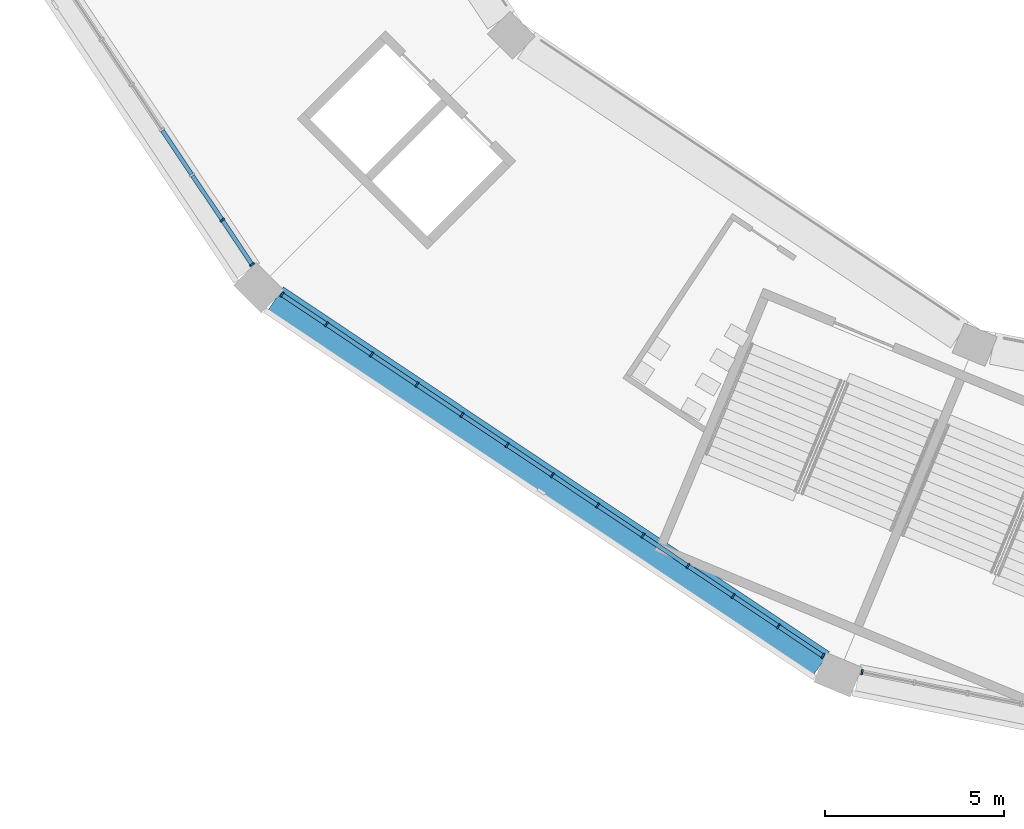
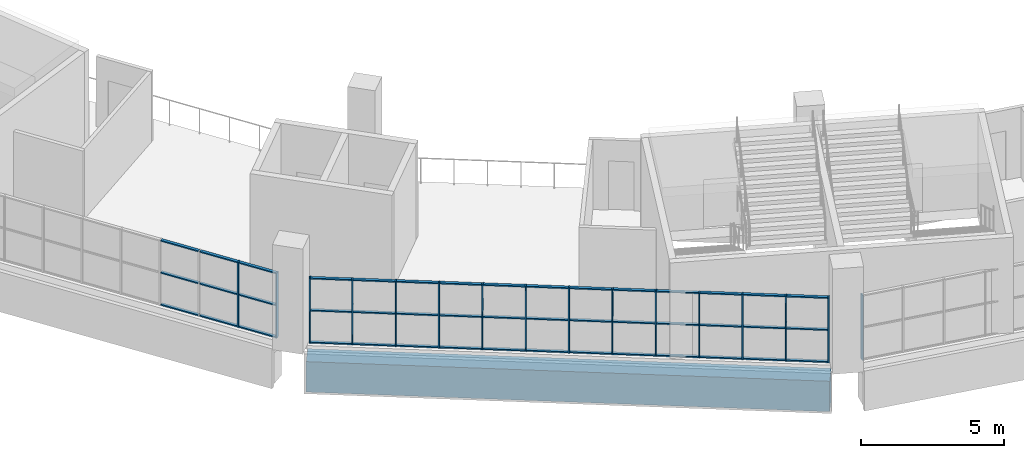
# One storey, part 2 of 177: 61 members, 1 beam, 3 elements without a shape of their own.
"""IFC4 building model written with IfcOpenShell, lengths in metres."""

from ifc_helpers import new_model, si_unit, direction, frame, origin, origin_2d, place, context, subcontext, project, spatial, rectangle, extrude, material, material_profile, profile_set, type_object, element, aggregate, save


model = new_model("IFC4")

# Units and contexts
model_context = context("Model", 3, precision=1e-05, world=origin(), true_north=direction((0.0, 1.0)))
body_context = subcontext(model_context, "Body", "Model", "MODEL_VIEW")
ifc_project = project(units=[si_unit("LENGTHUNIT", "METRE"), si_unit("AREAUNIT", "SQUARE_METRE"), si_unit("VOLUMEUNIT", "CUBIC_METRE"), si_unit("PLANEANGLEUNIT", "RADIAN"), si_unit("MASSUNIT", "GRAM", prefix="KILO")], contexts=[model_context])

# Site, building, storey
site_placement = place(None, origin())
site = spatial("IfcSite", under=ifc_project, at=site_placement, CompositionType="ELEMENT")
building_placement = place(site_placement, origin())
building = spatial("IfcBuilding", under=site, at=building_placement, Name="Ogive Plaza Stadium", CompositionType="ELEMENT")
storey_placement = place(building_placement, frame((0.0, 0.0, 18.0)))
storey = spatial("IfcBuildingStorey", under=building, at=storey_placement, Name="L04", CompositionType="ELEMENT", Elevation=18.0)

# Curtain wall, member
ifc_material_1 = material(Name="Bronze-anodised aluminium with laminated glass", Category="aluminium")
curtain_wall_type = type_object("IfcCurtainWallType", Name="Lancet curtain wall", PredefinedType="NOTDEFINED", material=ifc_material_1)
curtain_wall_1_placement = place(storey_placement, origin())
curtain_wall_1 = element("IfcCurtainWall", 1, at=curtain_wall_1_placement, inside=storey, type_object=curtain_wall_type, Name="CURTAIN WALL B17 L04", PredefinedType="NOTDEFINED")
ifc_material_2 = material(Name="Bronze-anodised aluminium", Category="aluminium")
ifc_material_profile_1 = material_profile(ifc_material_2, rectangle(XDim=0.14990234375, YDim=0.050048828125, at=origin_2d()), Name="AL 150x50")
ifc_profile_set_1 = profile_set([ifc_material_profile_1], Name="Bronze-anodised aluminium")
member_type_1 = type_object("IfcMemberType", Name="Curtain wall mullion 50x150", PredefinedType="MULLION", material=ifc_profile_set_1)
member_1_placement = place(storey_placement, frame((-52.462158203125, -98.623779296875, 0.0), z_axis=(0.0, 0.0, 1.0), x_axis=(-0.195090322033, -0.9807852804, 0.0)))
member_1 = element("IfcMember", 2, at=member_1_placement, type_object=member_type_1, Name="CW-B17-L04 mullion 13", PredefinedType="MULLION", context=body_context, shape_type="SweptSolid", body=[
    extrude(rectangle(XDim=0.14990234375, YDim=0.050048828125, at=origin_2d()), origin(), (0.0, 0.0, 1.0), 2.7900390625),
])
aggregate(curtain_wall_1, [member_1])

# Curtain wall, members
curtain_wall_2_placement = place(storey_placement, origin())
curtain_wall_2 = element("IfcCurtainWall", 3, at=curtain_wall_2_placement, inside=storey, type_object=curtain_wall_type, Name="CURTAIN WALL B18 L04", PredefinedType="NOTDEFINED")
member_2_placement = place(storey_placement, frame((-53.559814453125, -98.169189453125, 0.0), z_axis=(0.0, 0.0, 1.0), x_axis=(-0.55557023302, -0.831469612303, 0.0)))
member_2 = element("IfcMember", 4, at=member_2_placement, type_object=member_type_1, Name="CW-B18-L04 mullion 1", PredefinedType="MULLION", context=body_context, shape_type="SweptSolid", body=[
    extrude(rectangle(XDim=0.14990234375, YDim=0.050048828125, at=origin_2d()), origin(), (0.0, 0.0, 1.0), 2.7900390625),
])
member_3_placement = place(storey_placement, frame((-54.8046875, -97.337158203125, 0.0), z_axis=(0.0, 0.0, 1.0), x_axis=(-0.55557023302, -0.831469612303, 0.0)))
member_3 = element("IfcMember", 5, at=member_3_placement, type_object=member_type_1, Name="CW-B18-L04 mullion 2", PredefinedType="MULLION", context=body_context, shape_type="SweptSolid", body=[
    extrude(rectangle(XDim=0.14990234375, YDim=0.050048828125, at=origin_2d()), origin(), (0.0, 0.0, 1.0), 2.7900390625),
])
member_4_placement = place(storey_placement, frame((-56.070556640625, -96.491455078125, 0.0), z_axis=(0.0, 0.0, 1.0), x_axis=(-0.55557023302, -0.831469612303, 0.0)))
member_4 = element("IfcMember", 6, at=member_4_placement, type_object=member_type_1, Name="CW-B18-L04 mullion 3", PredefinedType="MULLION", context=body_context, shape_type="SweptSolid", body=[
    extrude(rectangle(XDim=0.14990234375, YDim=0.050048828125, at=origin_2d()), origin(), (0.0, 0.0, 1.0), 2.7900390625),
])
member_5_placement = place(storey_placement, frame((-57.336181640625, -95.645751953125, 0.0), z_axis=(0.0, 0.0, 1.0), x_axis=(-0.55557023302, -0.831469612303, 0.0)))
member_5 = element("IfcMember", 7, at=member_5_placement, type_object=member_type_1, Name="CW-B18-L04 mullion 4", PredefinedType="MULLION", context=body_context, shape_type="SweptSolid", body=[
    extrude(rectangle(XDim=0.14990234375, YDim=0.050048828125, at=origin_2d()), origin(), (0.0, 0.0, 1.0), 2.7900390625),
])
member_6_placement = place(storey_placement, frame((-58.60205078125, -94.7998046875, 0.0), z_axis=(0.0, 0.0, 1.0), x_axis=(-0.55557023302, -0.831469612303, 0.0)))
member_6 = element("IfcMember", 8, at=member_6_placement, type_object=member_type_1, Name="CW-B18-L04 mullion 5", PredefinedType="MULLION", context=body_context, shape_type="SweptSolid", body=[
    extrude(rectangle(XDim=0.14990234375, YDim=0.050048828125, at=origin_2d()), origin(), (0.0, 0.0, 1.0), 2.7900390625),
])
member_7_placement = place(storey_placement, frame((-59.867919921875, -93.9541015625, 0.0), z_axis=(0.0, 0.0, 1.0), x_axis=(-0.55557023302, -0.831469612303, 0.0)))
member_7 = element("IfcMember", 9, at=member_7_placement, type_object=member_type_1, Name="CW-B18-L04 mullion 6", PredefinedType="MULLION", context=body_context, shape_type="SweptSolid", body=[
    extrude(rectangle(XDim=0.14990234375, YDim=0.050048828125, at=origin_2d()), origin(), (0.0, 0.0, 1.0), 2.7900390625),
])
member_8_placement = place(storey_placement, frame((-61.133544921875, -93.1083984375, 0.0), z_axis=(0.0, 0.0, 1.0), x_axis=(-0.55557023302, -0.831469612303, 0.0)))
member_8 = element("IfcMember", 10, at=member_8_placement, type_object=member_type_1, Name="CW-B18-L04 mullion 7", PredefinedType="MULLION", context=body_context, shape_type="SweptSolid", body=[
    extrude(rectangle(XDim=0.14990234375, YDim=0.050048828125, at=origin_2d()), origin(), (0.0, 0.0, 1.0), 2.7900390625),
])
member_9_placement = place(storey_placement, frame((-62.3994140625, -92.2626953125, 0.0), z_axis=(0.0, 0.0, 1.0), x_axis=(-0.55557023302, -0.831469612303, 0.0)))
member_9 = element("IfcMember", 11, at=member_9_placement, type_object=member_type_1, Name="CW-B18-L04 mullion 8", PredefinedType="MULLION", context=body_context, shape_type="SweptSolid", body=[
    extrude(rectangle(XDim=0.14990234375, YDim=0.050048828125, at=origin_2d()), origin(), (0.0, 0.0, 1.0), 2.7900390625),
])
member_10_placement = place(storey_placement, frame((-63.665283203125, -91.416748046875, 0.0), z_axis=(0.0, 0.0, 1.0), x_axis=(-0.55557023302, -0.831469612303, 0.0)))
member_10 = element("IfcMember", 12, at=member_10_placement, type_object=member_type_1, Name="CW-B18-L04 mullion 9", PredefinedType="MULLION", context=body_context, shape_type="SweptSolid", body=[
    extrude(rectangle(XDim=0.14990234375, YDim=0.050048828125, at=origin_2d()), origin(), (0.0, 0.0, 1.0), 2.7900390625),
])
member_11_placement = place(storey_placement, frame((-64.930908203125, -90.571044921875, 0.0), z_axis=(0.0, 0.0, 1.0), x_axis=(-0.55557023302, -0.831469612303, 0.0)))
member_11 = element("IfcMember", 13, at=member_11_placement, type_object=member_type_1, Name="CW-B18-L04 mullion 10", PredefinedType="MULLION", context=body_context, shape_type="SweptSolid", body=[
    extrude(rectangle(XDim=0.14990234375, YDim=0.050048828125, at=origin_2d()), origin(), (0.0, 0.0, 1.0), 2.7900390625),
])
member_12_placement = place(storey_placement, frame((-66.19677734375, -89.725341796875, 0.0), z_axis=(0.0, 0.0, 1.0), x_axis=(-0.55557023302, -0.831469612303, 0.0)))
member_12 = element("IfcMember", 14, at=member_12_placement, type_object=member_type_1, Name="CW-B18-L04 mullion 11", PredefinedType="MULLION", context=body_context, shape_type="SweptSolid", body=[
    extrude(rectangle(XDim=0.14990234375, YDim=0.050048828125, at=origin_2d()), origin(), (0.0, 0.0, 1.0), 2.7900390625),
])
member_13_placement = place(storey_placement, frame((-67.462646484375, -88.879638671875, 0.0), z_axis=(0.0, 0.0, 1.0), x_axis=(-0.55557023302, -0.831469612303, 0.0)))
member_13 = element("IfcMember", 15, at=member_13_placement, type_object=member_type_1, Name="CW-B18-L04 mullion 12", PredefinedType="MULLION", context=body_context, shape_type="SweptSolid", body=[
    extrude(rectangle(XDim=0.14990234375, YDim=0.050048828125, at=origin_2d()), origin(), (0.0, 0.0, 1.0), 2.7900390625),
])
member_14_placement = place(storey_placement, frame((-68.70751953125, -88.047607421875, 0.0), z_axis=(0.0, 0.0, 1.0), x_axis=(-0.55557023302, -0.831469612303, 0.0)))
member_14 = element("IfcMember", 16, at=member_14_placement, type_object=member_type_1, Name="CW-B18-L04 mullion 13", PredefinedType="MULLION", context=body_context, shape_type="SweptSolid", body=[
    extrude(rectangle(XDim=0.14990234375, YDim=0.050048828125, at=origin_2d()), origin(), (0.0, 0.0, 1.0), 2.7900390625),
])

curtain_wall_3_placement = place(storey_placement, origin())
curtain_wall_3 = element("IfcCurtainWall", 17, at=curtain_wall_3_placement, inside=storey, type_object=curtain_wall_type, Name="CURTAIN WALL B19 L04", PredefinedType="NOTDEFINED")
member_15_placement = place(storey_placement, frame((-69.547607421875, -87.20751953125, 0.0), z_axis=(0.0, 0.0, 1.0), x_axis=(-0.831469612303, -0.55557023302, 0.0)))
member_15 = element("IfcMember", 18, at=member_15_placement, type_object=member_type_1, Name="CW-B19-L04 mullion 1", PredefinedType="MULLION", context=body_context, shape_type="SweptSolid", body=[
    extrude(rectangle(XDim=0.14990234375, YDim=0.050048828125, at=origin_2d()), origin(), (0.0, 0.0, 1.0), 2.7900390625),
])
member_16_placement = place(storey_placement, frame((-70.379638671875, -85.962646484375, 0.0), z_axis=(0.0, 0.0, 1.0), x_axis=(-0.831469612303, -0.55557023302, 0.0)))
member_16 = element("IfcMember", 19, at=member_16_placement, type_object=member_type_1, Name="CW-B19-L04 mullion 2", PredefinedType="MULLION", context=body_context, shape_type="SweptSolid", body=[
    extrude(rectangle(XDim=0.14990234375, YDim=0.050048828125, at=origin_2d()), origin(), (0.0, 0.0, 1.0), 2.7900390625),
])

# Member
ifc_material_3 = material(Name="Bronze-anodised aluminium", Category="aluminium")
ifc_material_profile_2 = material_profile(ifc_material_3, rectangle(XDim=0.1201171875, YDim=0.050048828125, at=origin_2d()), Name="AL 120x50")
ifc_profile_set_2 = profile_set([ifc_material_profile_2], Name="Bronze-anodised aluminium")
member_type_2 = type_object("IfcMemberType", Name="Curtain wall transom 50x120", PredefinedType="USERDEFINED", material=ifc_profile_set_2)
member_17_placement = place(storey_placement, frame((-53.58056640625, -98.1552734375, 0.02490234375), z_axis=(-0.831426948977, 0.555634077892, 0.0), x_axis=(-0.555634077892, -0.831426948977, 0.0)))
member_17 = element("IfcMember", 20, at=member_17_placement, type_object=member_type_2, Name="CW-B18-L04 transom 1.1", ObjectType="TRANSOM", PredefinedType="USERDEFINED", context=body_context, shape_type="SweptSolid", body=[
    extrude(rectangle(XDim=0.1201171875, YDim=0.050048828125, at=origin_2d()), origin(), (0.0, 0.0, 1.0), 1.447265625),
])

member_18_placement = place(storey_placement, frame((-53.58056640625, -98.1552734375, 1.39501953125), z_axis=(-0.831426948977, 0.555634077892, 0.0), x_axis=(-0.555634077892, -0.831426948977, 0.0)))
member_18 = element("IfcMember", 21, at=member_18_placement, type_object=member_type_2, Name="CW-B18-L04 transom 1.2", ObjectType="TRANSOM", PredefinedType="USERDEFINED", context=body_context, shape_type="SweptSolid", body=[
    extrude(rectangle(XDim=0.1201171875, YDim=0.050048828125, at=origin_2d()), origin(), (0.0, 0.0, 1.0), 1.447265625),
])

member_19_placement = place(storey_placement, frame((-53.58056640625, -98.1552734375, 2.764892578125), z_axis=(-0.831426948977, 0.555634077892, 0.0), x_axis=(-0.555634077892, -0.831426948977, 0.0)))
member_19 = element("IfcMember", 22, at=member_19_placement, type_object=member_type_2, Name="CW-B18-L04 transom 1.3", ObjectType="TRANSOM", PredefinedType="USERDEFINED", context=body_context, shape_type="SweptSolid", body=[
    extrude(rectangle(XDim=0.1201171875, YDim=0.050048828125, at=origin_2d()), origin(), (0.0, 0.0, 1.0), 1.447265625),
])

member_20_placement = place(storey_placement, frame((-54.825439453125, -97.3232421875, 0.02490234375), z_axis=(-0.83153975619, 0.555465240925, 0.0), x_axis=(-0.555465240925, -0.83153975619, 0.0)))
member_20 = element("IfcMember", 23, at=member_20_placement, type_object=member_type_2, Name="CW-B18-L04 transom 2.1", ObjectType="TRANSOM", PredefinedType="USERDEFINED", context=body_context, shape_type="SweptSolid", body=[
    extrude(rectangle(XDim=0.1201171875, YDim=0.050048828125, at=origin_2d()), origin(), (0.0, 0.0, 1.0), 1.472412109375),
])

member_21_placement = place(storey_placement, frame((-54.825439453125, -97.3232421875, 1.39501953125), z_axis=(-0.83153975619, 0.555465240925, 0.0), x_axis=(-0.555465240925, -0.83153975619, 0.0)))
member_21 = element("IfcMember", 24, at=member_21_placement, type_object=member_type_2, Name="CW-B18-L04 transom 2.2", ObjectType="TRANSOM", PredefinedType="USERDEFINED", context=body_context, shape_type="SweptSolid", body=[
    extrude(rectangle(XDim=0.1201171875, YDim=0.050048828125, at=origin_2d()), origin(), (0.0, 0.0, 1.0), 1.472412109375),
])

member_22_placement = place(storey_placement, frame((-54.825439453125, -97.3232421875, 2.764892578125), z_axis=(-0.83153975619, 0.555465240925, 0.0), x_axis=(-0.555465240925, -0.83153975619, 0.0)))
member_22 = element("IfcMember", 25, at=member_22_placement, type_object=member_type_2, Name="CW-B18-L04 transom 2.3", ObjectType="TRANSOM", PredefinedType="USERDEFINED", context=body_context, shape_type="SweptSolid", body=[
    extrude(rectangle(XDim=0.1201171875, YDim=0.050048828125, at=origin_2d()), origin(), (0.0, 0.0, 1.0), 1.472412109375),
])

member_23_placement = place(storey_placement, frame((-56.09130859375, -96.4775390625, 0.02490234375), z_axis=(-0.831488586159, 0.555541835587, 0.0), x_axis=(-0.555541835587, -0.831488586159, 0.0)))
member_23 = element("IfcMember", 26, at=member_23_placement, type_object=member_type_2, Name="CW-B18-L04 transom 3.1", ObjectType="TRANSOM", PredefinedType="USERDEFINED", context=body_context, shape_type="SweptSolid", body=[
    extrude(rectangle(XDim=0.1201171875, YDim=0.050048828125, at=origin_2d()), origin(), (0.0, 0.0, 1.0), 1.47216796875),
])

member_24_placement = place(storey_placement, frame((-56.09130859375, -96.4775390625, 1.39501953125), z_axis=(-0.831488586159, 0.555541835587, 0.0), x_axis=(-0.555541835587, -0.831488586159, 0.0)))
member_24 = element("IfcMember", 27, at=member_24_placement, type_object=member_type_2, Name="CW-B18-L04 transom 3.2", ObjectType="TRANSOM", PredefinedType="USERDEFINED", context=body_context, shape_type="SweptSolid", body=[
    extrude(rectangle(XDim=0.1201171875, YDim=0.050048828125, at=origin_2d()), origin(), (0.0, 0.0, 1.0), 1.47216796875),
])

member_25_placement = place(storey_placement, frame((-56.09130859375, -96.4775390625, 2.764892578125), z_axis=(-0.831488586159, 0.555541835587, 0.0), x_axis=(-0.555541835587, -0.831488586159, 0.0)))
member_25 = element("IfcMember", 28, at=member_25_placement, type_object=member_type_2, Name="CW-B18-L04 transom 3.3", ObjectType="TRANSOM", PredefinedType="USERDEFINED", context=body_context, shape_type="SweptSolid", body=[
    extrude(rectangle(XDim=0.1201171875, YDim=0.050048828125, at=origin_2d()), origin(), (0.0, 0.0, 1.0), 1.47216796875),
])

member_26_placement = place(storey_placement, frame((-57.357177734375, -95.6318359375, 0.02490234375), z_axis=(-0.831411982446, 0.555656472512, 0.0), x_axis=(-0.555656472512, -0.831411982446, 0.0)))
member_26 = element("IfcMember", 29, at=member_26_placement, type_object=member_type_2, Name="CW-B18-L04 transom 4.1", ObjectType="TRANSOM", PredefinedType="USERDEFINED", context=body_context, shape_type="SweptSolid", body=[
    extrude(rectangle(XDim=0.1201171875, YDim=0.050048828125, at=origin_2d()), origin(), (0.0, 0.0, 1.0), 1.472412109375),
])

member_27_placement = place(storey_placement, frame((-57.357177734375, -95.6318359375, 1.39501953125), z_axis=(-0.831411982446, 0.555656472512, 0.0), x_axis=(-0.555656472512, -0.831411982446, 0.0)))
member_27 = element("IfcMember", 30, at=member_27_placement, type_object=member_type_2, Name="CW-B18-L04 transom 4.2", ObjectType="TRANSOM", PredefinedType="USERDEFINED", context=body_context, shape_type="SweptSolid", body=[
    extrude(rectangle(XDim=0.1201171875, YDim=0.050048828125, at=origin_2d()), origin(), (0.0, 0.0, 1.0), 1.472412109375),
])

member_28_placement = place(storey_placement, frame((-57.357177734375, -95.6318359375, 2.764892578125), z_axis=(-0.831411982446, 0.555656472512, 0.0), x_axis=(-0.555656472512, -0.831411982446, 0.0)))
member_28 = element("IfcMember", 31, at=member_28_placement, type_object=member_type_2, Name="CW-B18-L04 transom 4.3", ObjectType="TRANSOM", PredefinedType="USERDEFINED", context=body_context, shape_type="SweptSolid", body=[
    extrude(rectangle(XDim=0.1201171875, YDim=0.050048828125, at=origin_2d()), origin(), (0.0, 0.0, 1.0), 1.472412109375),
])

member_29_placement = place(storey_placement, frame((-58.622802734375, -94.7861328125, 0.02490234375), z_axis=(-0.831463168883, 0.555579876157, 0.0), x_axis=(-0.555579876157, -0.831463168883, 0.0)))
member_29 = element("IfcMember", 32, at=member_29_placement, type_object=member_type_2, Name="CW-B18-L04 transom 5.1", ObjectType="TRANSOM", PredefinedType="USERDEFINED", context=body_context, shape_type="SweptSolid", body=[
    extrude(rectangle(XDim=0.1201171875, YDim=0.050048828125, at=origin_2d()), origin(), (0.0, 0.0, 1.0), 1.47265625),
])

member_30_placement = place(storey_placement, frame((-58.622802734375, -94.7861328125, 1.39501953125), z_axis=(-0.831463168883, 0.555579876157, 0.0), x_axis=(-0.555579876157, -0.831463168883, 0.0)))
member_30 = element("IfcMember", 33, at=member_30_placement, type_object=member_type_2, Name="CW-B18-L04 transom 5.2", ObjectType="TRANSOM", PredefinedType="USERDEFINED", context=body_context, shape_type="SweptSolid", body=[
    extrude(rectangle(XDim=0.1201171875, YDim=0.050048828125, at=origin_2d()), origin(), (0.0, 0.0, 1.0), 1.47265625),
])

member_31_placement = place(storey_placement, frame((-58.622802734375, -94.7861328125, 2.764892578125), z_axis=(-0.831463168883, 0.555579876157, 0.0), x_axis=(-0.555579876157, -0.831463168883, 0.0)))
member_31 = element("IfcMember", 34, at=member_31_placement, type_object=member_type_2, Name="CW-B18-L04 transom 5.3", ObjectType="TRANSOM", PredefinedType="USERDEFINED", context=body_context, shape_type="SweptSolid", body=[
    extrude(rectangle(XDim=0.1201171875, YDim=0.050048828125, at=origin_2d()), origin(), (0.0, 0.0, 1.0), 1.47265625),
])

member_32_placement = place(storey_placement, frame((-59.888671875, -93.940185546875, 0.02490234375), z_axis=(-0.831488586159, 0.555541835587, 0.0), x_axis=(-0.555541835587, -0.831488586159, 0.0)))
member_32 = element("IfcMember", 35, at=member_32_placement, type_object=member_type_2, Name="CW-B18-L04 transom 6.1", ObjectType="TRANSOM", PredefinedType="USERDEFINED", context=body_context, shape_type="SweptSolid", body=[
    extrude(rectangle(XDim=0.1201171875, YDim=0.050048828125, at=origin_2d()), origin(), (0.0, 0.0, 1.0), 1.47216796875),
])

member_33_placement = place(storey_placement, frame((-59.888671875, -93.940185546875, 1.39501953125), z_axis=(-0.831488586159, 0.555541835587, 0.0), x_axis=(-0.555541835587, -0.831488586159, 0.0)))
member_33 = element("IfcMember", 36, at=member_33_placement, type_object=member_type_2, Name="CW-B18-L04 transom 6.2", ObjectType="TRANSOM", PredefinedType="USERDEFINED", context=body_context, shape_type="SweptSolid", body=[
    extrude(rectangle(XDim=0.1201171875, YDim=0.050048828125, at=origin_2d()), origin(), (0.0, 0.0, 1.0), 1.47216796875),
])

member_34_placement = place(storey_placement, frame((-59.888671875, -93.940185546875, 2.764892578125), z_axis=(-0.831488586159, 0.555541835587, 0.0), x_axis=(-0.555541835587, -0.831488586159, 0.0)))
member_34 = element("IfcMember", 37, at=member_34_placement, type_object=member_type_2, Name="CW-B18-L04 transom 6.3", ObjectType="TRANSOM", PredefinedType="USERDEFINED", context=body_context, shape_type="SweptSolid", body=[
    extrude(rectangle(XDim=0.1201171875, YDim=0.050048828125, at=origin_2d()), origin(), (0.0, 0.0, 1.0), 1.47216796875),
])

member_35_placement = place(storey_placement, frame((-61.154541015625, -93.094482421875, 0.02490234375), z_axis=(-0.831411982446, 0.555656472512, 0.0), x_axis=(-0.555656472512, -0.831411982446, 0.0)))
member_35 = element("IfcMember", 38, at=member_35_placement, type_object=member_type_2, Name="CW-B18-L04 transom 7.1", ObjectType="TRANSOM", PredefinedType="USERDEFINED", context=body_context, shape_type="SweptSolid", body=[
    extrude(rectangle(XDim=0.1201171875, YDim=0.050048828125, at=origin_2d()), origin(), (0.0, 0.0, 1.0), 1.472412109375),
])

member_36_placement = place(storey_placement, frame((-61.154541015625, -93.094482421875, 1.39501953125), z_axis=(-0.831411982446, 0.555656472512, 0.0), x_axis=(-0.555656472512, -0.831411982446, 0.0)))
member_36 = element("IfcMember", 39, at=member_36_placement, type_object=member_type_2, Name="CW-B18-L04 transom 7.2", ObjectType="TRANSOM", PredefinedType="USERDEFINED", context=body_context, shape_type="SweptSolid", body=[
    extrude(rectangle(XDim=0.1201171875, YDim=0.050048828125, at=origin_2d()), origin(), (0.0, 0.0, 1.0), 1.472412109375),
])

member_37_placement = place(storey_placement, frame((-61.154541015625, -93.094482421875, 2.764892578125), z_axis=(-0.831411982446, 0.555656472512, 0.0), x_axis=(-0.555656472512, -0.831411982446, 0.0)))
member_37 = element("IfcMember", 40, at=member_37_placement, type_object=member_type_2, Name="CW-B18-L04 transom 7.3", ObjectType="TRANSOM", PredefinedType="USERDEFINED", context=body_context, shape_type="SweptSolid", body=[
    extrude(rectangle(XDim=0.1201171875, YDim=0.050048828125, at=origin_2d()), origin(), (0.0, 0.0, 1.0), 1.472412109375),
])

member_38_placement = place(storey_placement, frame((-62.420166015625, -92.248779296875, 0.02490234375), z_axis=(-0.831463168883, 0.555579876157, 0.0), x_axis=(-0.555579876157, -0.831463168883, 0.0)))
member_38 = element("IfcMember", 41, at=member_38_placement, type_object=member_type_2, Name="CW-B18-L04 transom 8.1", ObjectType="TRANSOM", PredefinedType="USERDEFINED", context=body_context, shape_type="SweptSolid", body=[
    extrude(rectangle(XDim=0.1201171875, YDim=0.050048828125, at=origin_2d()), origin(), (0.0, 0.0, 1.0), 1.47265625),
])

member_39_placement = place(storey_placement, frame((-62.420166015625, -92.248779296875, 1.39501953125), z_axis=(-0.831463168883, 0.555579876157, 0.0), x_axis=(-0.555579876157, -0.831463168883, 0.0)))
member_39 = element("IfcMember", 42, at=member_39_placement, type_object=member_type_2, Name="CW-B18-L04 transom 8.2", ObjectType="TRANSOM", PredefinedType="USERDEFINED", context=body_context, shape_type="SweptSolid", body=[
    extrude(rectangle(XDim=0.1201171875, YDim=0.050048828125, at=origin_2d()), origin(), (0.0, 0.0, 1.0), 1.47265625),
])

member_40_placement = place(storey_placement, frame((-62.420166015625, -92.248779296875, 2.764892578125), z_axis=(-0.831463168883, 0.555579876157, 0.0), x_axis=(-0.555579876157, -0.831463168883, 0.0)))
member_40 = element("IfcMember", 43, at=member_40_placement, type_object=member_type_2, Name="CW-B18-L04 transom 8.3", ObjectType="TRANSOM", PredefinedType="USERDEFINED", context=body_context, shape_type="SweptSolid", body=[
    extrude(rectangle(XDim=0.1201171875, YDim=0.050048828125, at=origin_2d()), origin(), (0.0, 0.0, 1.0), 1.47265625),
])

member_41_placement = place(storey_placement, frame((-63.68603515625, -91.40283203125, 0.02490234375), z_axis=(-0.831488586159, 0.555541835587, 0.0), x_axis=(-0.555541835587, -0.831488586159, 0.0)))
member_41 = element("IfcMember", 44, at=member_41_placement, type_object=member_type_2, Name="CW-B18-L04 transom 9.1", ObjectType="TRANSOM", PredefinedType="USERDEFINED", context=body_context, shape_type="SweptSolid", body=[
    extrude(rectangle(XDim=0.1201171875, YDim=0.050048828125, at=origin_2d()), origin(), (0.0, 0.0, 1.0), 1.47216796875),
])

member_42_placement = place(storey_placement, frame((-63.68603515625, -91.40283203125, 1.39501953125), z_axis=(-0.831488586159, 0.555541835587, 0.0), x_axis=(-0.555541835587, -0.831488586159, 0.0)))
member_42 = element("IfcMember", 45, at=member_42_placement, type_object=member_type_2, Name="CW-B18-L04 transom 9.2", ObjectType="TRANSOM", PredefinedType="USERDEFINED", context=body_context, shape_type="SweptSolid", body=[
    extrude(rectangle(XDim=0.1201171875, YDim=0.050048828125, at=origin_2d()), origin(), (0.0, 0.0, 1.0), 1.47216796875),
])

member_43_placement = place(storey_placement, frame((-63.68603515625, -91.40283203125, 2.764892578125), z_axis=(-0.831488586159, 0.555541835587, 0.0), x_axis=(-0.555541835587, -0.831488586159, 0.0)))
member_43 = element("IfcMember", 46, at=member_43_placement, type_object=member_type_2, Name="CW-B18-L04 transom 9.3", ObjectType="TRANSOM", PredefinedType="USERDEFINED", context=body_context, shape_type="SweptSolid", body=[
    extrude(rectangle(XDim=0.1201171875, YDim=0.050048828125, at=origin_2d()), origin(), (0.0, 0.0, 1.0), 1.47216796875),
])

member_44_placement = place(storey_placement, frame((-64.95166015625, -90.55712890625, 0.02490234375), z_axis=(-0.83153975619, 0.555465240925, 0.0), x_axis=(-0.555465240925, -0.83153975619, 0.0)))
member_44 = element("IfcMember", 47, at=member_44_placement, type_object=member_type_2, Name="CW-B18-L04 transom 10.1", ObjectType="TRANSOM", PredefinedType="USERDEFINED", context=body_context, shape_type="SweptSolid", body=[
    extrude(rectangle(XDim=0.1201171875, YDim=0.050048828125, at=origin_2d()), origin(), (0.0, 0.0, 1.0), 1.472412109375),
])

member_45_placement = place(storey_placement, frame((-64.95166015625, -90.55712890625, 1.39501953125), z_axis=(-0.83153975619, 0.555465240925, 0.0), x_axis=(-0.555465240925, -0.83153975619, 0.0)))
member_45 = element("IfcMember", 48, at=member_45_placement, type_object=member_type_2, Name="CW-B18-L04 transom 10.2", ObjectType="TRANSOM", PredefinedType="USERDEFINED", context=body_context, shape_type="SweptSolid", body=[
    extrude(rectangle(XDim=0.1201171875, YDim=0.050048828125, at=origin_2d()), origin(), (0.0, 0.0, 1.0), 1.472412109375),
])

member_46_placement = place(storey_placement, frame((-64.95166015625, -90.55712890625, 2.764892578125), z_axis=(-0.83153975619, 0.555465240925, 0.0), x_axis=(-0.555465240925, -0.83153975619, 0.0)))
member_46 = element("IfcMember", 49, at=member_46_placement, type_object=member_type_2, Name="CW-B18-L04 transom 10.3", ObjectType="TRANSOM", PredefinedType="USERDEFINED", context=body_context, shape_type="SweptSolid", body=[
    extrude(rectangle(XDim=0.1201171875, YDim=0.050048828125, at=origin_2d()), origin(), (0.0, 0.0, 1.0), 1.472412109375),
])

member_47_placement = place(storey_placement, frame((-66.217529296875, -89.71142578125, 0.02490234375), z_axis=(-0.831411982446, 0.555656472512, 0.0), x_axis=(-0.555656472512, -0.831411982446, 0.0)))
member_47 = element("IfcMember", 50, at=member_47_placement, type_object=member_type_2, Name="CW-B18-L04 transom 11.1", ObjectType="TRANSOM", PredefinedType="USERDEFINED", context=body_context, shape_type="SweptSolid", body=[
    extrude(rectangle(XDim=0.1201171875, YDim=0.050048828125, at=origin_2d()), origin(), (0.0, 0.0, 1.0), 1.472412109375),
])

member_48_placement = place(storey_placement, frame((-66.217529296875, -89.71142578125, 1.39501953125), z_axis=(-0.831411982446, 0.555656472512, 0.0), x_axis=(-0.555656472512, -0.831411982446, 0.0)))
member_48 = element("IfcMember", 51, at=member_48_placement, type_object=member_type_2, Name="CW-B18-L04 transom 11.2", ObjectType="TRANSOM", PredefinedType="USERDEFINED", context=body_context, shape_type="SweptSolid", body=[
    extrude(rectangle(XDim=0.1201171875, YDim=0.050048828125, at=origin_2d()), origin(), (0.0, 0.0, 1.0), 1.472412109375),
])

member_49_placement = place(storey_placement, frame((-66.217529296875, -89.71142578125, 2.764892578125), z_axis=(-0.831411982446, 0.555656472512, 0.0), x_axis=(-0.555656472512, -0.831411982446, 0.0)))
member_49 = element("IfcMember", 52, at=member_49_placement, type_object=member_type_2, Name="CW-B18-L04 transom 11.3", ObjectType="TRANSOM", PredefinedType="USERDEFINED", context=body_context, shape_type="SweptSolid", body=[
    extrude(rectangle(XDim=0.1201171875, YDim=0.050048828125, at=origin_2d()), origin(), (0.0, 0.0, 1.0), 1.472412109375),
])

member_50_placement = place(storey_placement, frame((-67.4833984375, -88.86572265625, 0.02490234375), z_axis=(-0.831426948977, 0.555634077892, 0.0), x_axis=(-0.555634077892, -0.831426948977, 0.0)))
member_50 = element("IfcMember", 53, at=member_50_placement, type_object=member_type_2, Name="CW-B18-L04 transom 12.1", ObjectType="TRANSOM", PredefinedType="USERDEFINED", context=body_context, shape_type="SweptSolid", body=[
    extrude(rectangle(XDim=0.1201171875, YDim=0.050048828125, at=origin_2d()), origin(), (0.0, 0.0, 1.0), 1.447265625),
])

member_51_placement = place(storey_placement, frame((-67.4833984375, -88.86572265625, 1.39501953125), z_axis=(-0.831426948977, 0.555634077892, 0.0), x_axis=(-0.555634077892, -0.831426948977, 0.0)))
member_51 = element("IfcMember", 54, at=member_51_placement, type_object=member_type_2, Name="CW-B18-L04 transom 12.2", ObjectType="TRANSOM", PredefinedType="USERDEFINED", context=body_context, shape_type="SweptSolid", body=[
    extrude(rectangle(XDim=0.1201171875, YDim=0.050048828125, at=origin_2d()), origin(), (0.0, 0.0, 1.0), 1.447265625),
])

member_52_placement = place(storey_placement, frame((-67.4833984375, -88.86572265625, 2.764892578125), z_axis=(-0.831426948977, 0.555634077892, 0.0), x_axis=(-0.555634077892, -0.831426948977, 0.0)))
member_52 = element("IfcMember", 55, at=member_52_placement, type_object=member_type_2, Name="CW-B18-L04 transom 12.3", ObjectType="TRANSOM", PredefinedType="USERDEFINED", context=body_context, shape_type="SweptSolid", body=[
    extrude(rectangle(XDim=0.1201171875, YDim=0.050048828125, at=origin_2d()), origin(), (0.0, 0.0, 1.0), 1.447265625),
])

aggregate(curtain_wall_2, [member_2, member_3, member_4, member_5, member_6, member_7, member_8, member_9, member_10, member_11, member_12, member_13, member_14, member_17, member_18, member_19, member_20, member_21, member_22, member_23, member_24, member_25, member_26, member_27, member_28, member_29, member_30, member_31, member_32, member_33, member_34, member_35, member_36, member_37, member_38, member_39, member_40, member_41, member_42, member_43, member_44, member_45, member_46, member_47, member_48, member_49, member_50, member_51, member_52])

member_53_placement = place(storey_placement, frame((-69.5615234375, -87.186767578125, 0.02490234375), z_axis=(-0.555634077892, 0.831426948977, 0.0), x_axis=(-0.831426948977, -0.555634077892, 0.0)))
member_53 = element("IfcMember", 56, at=member_53_placement, type_object=member_type_2, Name="CW-B19-L04 transom 1.1", ObjectType="TRANSOM", PredefinedType="USERDEFINED", context=body_context, shape_type="SweptSolid", body=[
    extrude(rectangle(XDim=0.1201171875, YDim=0.050048828125, at=origin_2d()), origin(), (0.0, 0.0, 1.0), 1.447265625),
])

member_54_placement = place(storey_placement, frame((-69.5615234375, -87.186767578125, 1.39501953125), z_axis=(-0.555634077892, 0.831426948977, 0.0), x_axis=(-0.831426948977, -0.555634077892, 0.0)))
member_54 = element("IfcMember", 57, at=member_54_placement, type_object=member_type_2, Name="CW-B19-L04 transom 1.2", ObjectType="TRANSOM", PredefinedType="USERDEFINED", context=body_context, shape_type="SweptSolid", body=[
    extrude(rectangle(XDim=0.1201171875, YDim=0.050048828125, at=origin_2d()), origin(), (0.0, 0.0, 1.0), 1.447265625),
])

member_55_placement = place(storey_placement, frame((-69.5615234375, -87.186767578125, 2.764892578125), z_axis=(-0.555634077892, 0.831426948977, 0.0), x_axis=(-0.831426948977, -0.555634077892, 0.0)))
member_55 = element("IfcMember", 58, at=member_55_placement, type_object=member_type_2, Name="CW-B19-L04 transom 1.3", ObjectType="TRANSOM", PredefinedType="USERDEFINED", context=body_context, shape_type="SweptSolid", body=[
    extrude(rectangle(XDim=0.1201171875, YDim=0.050048828125, at=origin_2d()), origin(), (0.0, 0.0, 1.0), 1.447265625),
])

member_56_placement = place(storey_placement, frame((-70.393310546875, -85.941650390625, 0.02490234375), z_axis=(-0.555656472512, 0.831411982446, 0.0), x_axis=(-0.831411982446, -0.555656472512, 0.0)))
member_56 = element("IfcMember", 59, at=member_56_placement, type_object=member_type_2, Name="CW-B19-L04 transom 2.1", ObjectType="TRANSOM", PredefinedType="USERDEFINED", context=body_context, shape_type="SweptSolid", body=[
    extrude(rectangle(XDim=0.1201171875, YDim=0.050048828125, at=origin_2d()), origin(), (0.0, 0.0, 1.0), 1.472412109375),
])

member_57_placement = place(storey_placement, frame((-70.393310546875, -85.941650390625, 1.39501953125), z_axis=(-0.555656472512, 0.831411982446, 0.0), x_axis=(-0.831411982446, -0.555656472512, 0.0)))
member_57 = element("IfcMember", 60, at=member_57_placement, type_object=member_type_2, Name="CW-B19-L04 transom 2.2", ObjectType="TRANSOM", PredefinedType="USERDEFINED", context=body_context, shape_type="SweptSolid", body=[
    extrude(rectangle(XDim=0.1201171875, YDim=0.050048828125, at=origin_2d()), origin(), (0.0, 0.0, 1.0), 1.472412109375),
])

member_58_placement = place(storey_placement, frame((-70.393310546875, -85.941650390625, 2.764892578125), z_axis=(-0.555656472512, 0.831411982446, 0.0), x_axis=(-0.831411982446, -0.555656472512, 0.0)))
member_58 = element("IfcMember", 61, at=member_58_placement, type_object=member_type_2, Name="CW-B19-L04 transom 2.3", ObjectType="TRANSOM", PredefinedType="USERDEFINED", context=body_context, shape_type="SweptSolid", body=[
    extrude(rectangle(XDim=0.1201171875, YDim=0.050048828125, at=origin_2d()), origin(), (0.0, 0.0, 1.0), 1.472412109375),
])

member_59_placement = place(storey_placement, frame((-71.2392578125, -84.676025390625, 0.02490234375), z_axis=(-0.555465240925, 0.83153975619, 0.0), x_axis=(-0.83153975619, -0.555465240925, 0.0)))
member_59 = element("IfcMember", 62, at=member_59_placement, type_object=member_type_2, Name="CW-B19-L04 transom 3.1", ObjectType="TRANSOM", PredefinedType="USERDEFINED", context=body_context, shape_type="SweptSolid", body=[
    extrude(rectangle(XDim=0.1201171875, YDim=0.050048828125, at=origin_2d()), origin(), (0.0, 0.0, 1.0), 1.472412109375),
])

member_60_placement = place(storey_placement, frame((-71.2392578125, -84.676025390625, 1.39501953125), z_axis=(-0.555465240925, 0.83153975619, 0.0), x_axis=(-0.83153975619, -0.555465240925, 0.0)))
member_60 = element("IfcMember", 63, at=member_60_placement, type_object=member_type_2, Name="CW-B19-L04 transom 3.2", ObjectType="TRANSOM", PredefinedType="USERDEFINED", context=body_context, shape_type="SweptSolid", body=[
    extrude(rectangle(XDim=0.1201171875, YDim=0.050048828125, at=origin_2d()), origin(), (0.0, 0.0, 1.0), 1.472412109375),
])

member_61_placement = place(storey_placement, frame((-71.2392578125, -84.676025390625, 2.764892578125), z_axis=(-0.555465240925, 0.83153975619, 0.0), x_axis=(-0.83153975619, -0.555465240925, 0.0)))
member_61 = element("IfcMember", 64, at=member_61_placement, type_object=member_type_2, Name="CW-B19-L04 transom 3.3", ObjectType="TRANSOM", PredefinedType="USERDEFINED", context=body_context, shape_type="SweptSolid", body=[
    extrude(rectangle(XDim=0.1201171875, YDim=0.050048828125, at=origin_2d()), origin(), (0.0, 0.0, 1.0), 1.472412109375),
])

aggregate(curtain_wall_3, [member_15, member_16, member_53, member_54, member_55, member_56, member_57, member_58, member_59, member_60, member_61])

# Beam
ifc_material_4 = material(Name="Concrete C40/50", Category="concrete")
ifc_material_profile_3 = material_profile(ifc_material_4, rectangle(XDim=0.800048828125, YDim=1.300048828125, at=origin_2d()), Name="RC 800x1300")
ifc_profile_set_3 = profile_set([ifc_material_profile_3], Name="Concrete C40/50")
beam_type = type_object("IfcBeamType", Name="RC spandrel beam 800x1300", PredefinedType="SPANDREL", material=ifc_profile_set_3)
beam_placement = place(storey_placement, frame((-53.600341796875, -98.38232421875, -1.06005859375), z_axis=(-0.831477897484, 0.555557833169, 0.0), x_axis=(-0.555557833169, -0.831477897484, 0.0)))
element("IfcBeam", 65, at=beam_placement, inside=storey, type_object=beam_type, Name="Ring beam F5 L04 B18", PredefinedType="SPANDREL", context=body_context, shape_type="SweptSolid", body=[
    extrude(rectangle(XDim=0.800048828125, YDim=1.300048828125, at=origin_2d()), origin(), (0.0, 0.0, 1.0), 18.387451171875),
])

save(model, "model.ifc")
